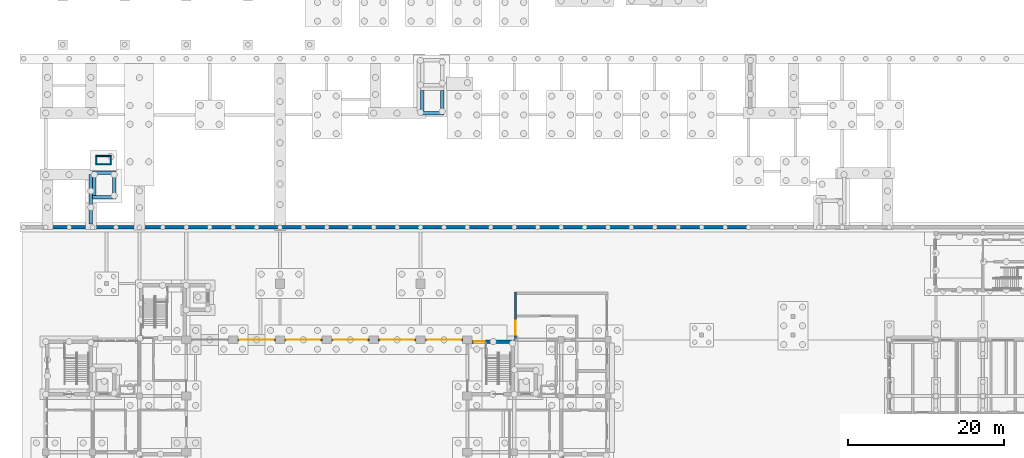
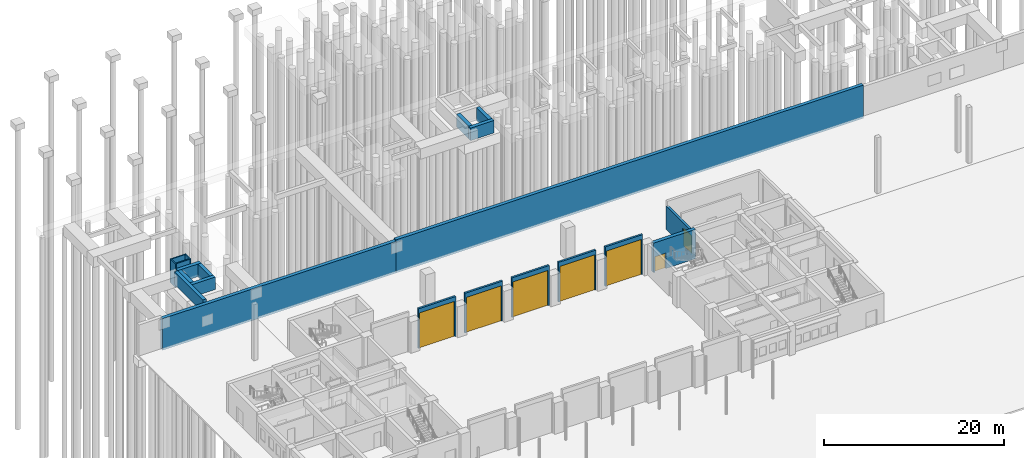
# One storey, part 23 of 37: 21 walls, 7 doors, 7 openings.
"""IFC4 building model written with IfcOpenShell, lengths in metres."""

from ifc_helpers import new_model, si_unit, direction, frame, frame_2d, origin, place, context, subcontext, project, spatial, rectangle, extrude, material, layer, layer_set, type_object, element, fill, save


model = new_model("IFC4")

# Units and contexts
model_context = context("Model", 3, precision=1e-05, world=origin(), true_north=direction((0.0, 1.0)))
body_context = subcontext(model_context, "Body", "Model", "MODEL_VIEW")
ifc_project = project(units=[si_unit("LENGTHUNIT", "METRE"), si_unit("AREAUNIT", "SQUARE_METRE"), si_unit("VOLUMEUNIT", "CUBIC_METRE"), si_unit("PLANEANGLEUNIT", "RADIAN"), si_unit("MASSUNIT", "GRAM", prefix="KILO")], contexts=[model_context])

# Site, building, storey
site_placement = place(None, origin())
site = spatial("IfcSite", under=ifc_project, at=site_placement, CompositionType="ELEMENT")
building_placement = place(site_placement, origin())
building = spatial("IfcBuilding", under=site, at=building_placement, Name="Laocheng Heights Fire and Rescue Headquarters", CompositionType="ELEMENT")
storey_placement = place(building_placement, origin())
storey = spatial("IfcBuildingStorey", under=building, at=storey_placement, Name="L00", CompositionType="ELEMENT", Elevation=0.0)

# Wall, opening, door
ifc_material_1 = material(Name="Cast stone cladding", Category="masonry")
ifc_layer_1 = layer(ifc_material_1, 0.0400390625, Name="CAST STONE FACING", Category="face")
ifc_material_2 = material(Name="Mineral wool insulation board")
ifc_layer_2 = layer(ifc_material_2, 0.080078125, Name="CAVITY INSULATION", Category="insulation")
ifc_material_3 = material(Name="Autoclaved aerated concrete A3.5", Category="concrete")
ifc_layer_3 = layer(ifc_material_3, 0.169921875, Name="BLOCKWORK LEAF", Category="masonry")
ifc_material_4 = material(Name="Gypsum plaster")
ifc_layer_4 = layer(ifc_material_4, 0.010009765625, Name="INTERNAL PLASTER", Category="plaster")
ifc_layer_set_1 = layer_set([ifc_layer_1, ifc_layer_2, ifc_layer_3, ifc_layer_4], Name="Precast concrete C40/50")
wall_type_1 = type_object("IfcWallType", Name="PRECAST PLANT WALL 300 ANNEX", PredefinedType="SOLIDWALL", material=ifc_layer_set_1)
wall_1_placement = place(storey_placement, frame((60.14990234375, 21.60009765625, 0.0), z_axis=(0.0, 0.0, 1.0), x_axis=(0.0, 1.0, 0.0)))
wall_1 = element("IfcWall", 1, at=wall_1_placement, inside=storey, type_object=wall_type_1, Name="Annex wall L00", PredefinedType="SOLIDWALL", context=body_context, shape_type="SweptSolid", body=[
    extrude(rectangle(XDim=6.099853515625, YDim=0.300048828125, at=frame_2d((3.0498046875, 0.0))), origin(), (0.0, 0.0, 1.0), 3.199951171875),
])
opening_1_placement = place(wall_1_placement, frame((0.625, 0.0, 0.0)))
opening_1 = element("IfcOpeningElement", 2, at=opening_1_placement, cuts=wall_1, Name="Opening L00-E07", PredefinedType="OPENING", context=body_context, shape_type="SweptSolid", body=[
    extrude(rectangle(XDim=1.800048828125, YDim=2.39990234375, at=frame_2d((0.89990234375, 1.199951171875))), frame((0.0, 0.159912109375, 0.0), z_axis=(0.0, -1.0, 0.0), x_axis=(1.0, 0.0, 0.0)), (0.0, 0.0, 1.0), 0.320068359375),
])
ifc_material_5 = material(Name="Powder-coated galvanised steel door leaf, louvred", Category="steel")
door_type_1 = type_object("IfcDoorType", Name="DOUBLE PLANT DOOR STEEL 1800 x 2400 EI 60", OperationType="DOUBLE_DOOR_SINGLE_SWING", PredefinedType="DOOR", material=ifc_material_5)
door_1_placement = place(opening_1_placement, origin())
door_1 = element("IfcDoor", 3, at=door_1_placement, inside=storey, type_object=door_type_1, Name="Fire pump room door L00-E07", OperationType="DOUBLE_DOOR_SINGLE_SWING", OverallHeight=2.39990234375, OverallWidth=1.800048828125, PredefinedType="DOOR", context=body_context, shape_type="SweptSolid", body=[
    extrude(rectangle(XDim=1.800048828125, YDim=2.39990234375, at=frame_2d((0.89990234375, 1.199951171875))), frame((0.0, 0.02490234375, 0.0), z_axis=(0.0, -1.0, 0.0), x_axis=(1.0, 0.0, 0.0)), (0.0, 0.0, 1.0), 0.050048828125),
])
fill(opening_1, door_1)

ifc_material_6 = material(Name="Concrete C40", Category="concrete")
ifc_layer_5 = layer(ifc_material_6, 0.25)
ifc_layer_set_2 = layer_set([ifc_layer_5], Name="Concrete C40")
wall_type_2 = type_object("IfcWallType", Name="RC DOOR WALL 250 BAY GABLE", PredefinedType="SOLIDWALL", material=ifc_layer_set_2)
wall_2_placement = place(storey_placement, frame((24.60009765625, 21.60009765625, 0.0), z_axis=(0.0, 0.0, 1.0), x_axis=(1.0, 0.0, 0.0)))
wall_2 = element("IfcWall", 4, at=wall_2_placement, inside=storey, type_object=wall_type_2, Name="Gable door wall N2", PredefinedType="SOLIDWALL", context=body_context, shape_type="SweptSolid", body=[
    extrude(rectangle(XDim=4.7998046875, YDim=0.25, at=frame_2d((2.39990234375, 0.0))), origin(), (0.0, 0.0, 1.0), 5.39990234375),
])
opening_2_placement = place(wall_2_placement, frame((0.14990234375, 0.0, 0.0)))
opening_2 = element("IfcOpeningElement", 5, at=opening_2_placement, cuts=wall_2, Name="Opening L00-P08", PredefinedType="OPENING", context=body_context, shape_type="SweptSolid", body=[
    extrude(rectangle(XDim=4.5, YDim=4.800048828125, at=frame_2d((2.25, 2.39990234375))), frame((0.0, 0.135009765625, 0.0), z_axis=(0.0, -1.0, 0.0), x_axis=(1.0, 0.0, 0.0)), (0.0, 0.0, 1.0), 0.27001953125),
])
ifc_material_7 = material(Name="Powder-coated steel sectional door, signal red, vision panels", Category="steel")
door_type_2 = type_object("IfcDoorType", Name="SECTIONAL OVERHEAD VEHICLE DOOR 4500 x 4800", OperationType="ROLLINGUP", PredefinedType="DOOR", material=ifc_material_7)
door_2_placement = place(opening_2_placement, origin())
door_2 = element("IfcDoor", 6, at=door_2_placement, inside=storey, type_object=door_type_2, Name="Vehicle door L00-P08", OperationType="ROLLINGUP", OverallHeight=4.800048828125, OverallWidth=4.5, PredefinedType="DOOR", context=body_context, shape_type="SweptSolid", body=[
    extrude(rectangle(XDim=4.5, YDim=4.800048828125, at=frame_2d((2.25, 2.39990234375))), frame((0.0, 0.02490234375, 0.0), z_axis=(0.0, -1.0, 0.0), x_axis=(1.0, 0.0, 0.0)), (0.0, 0.0, 1.0), 0.050048828125),
])
fill(opening_2, door_2)

wall_3_placement = place(storey_placement, frame((30.60009765625, 21.60009765625, 0.0), z_axis=(0.0, 0.0, 1.0), x_axis=(1.0, 0.0, 0.0)))
wall_3 = element("IfcWall", 7, at=wall_3_placement, inside=storey, type_object=wall_type_2, Name="Gable door wall N3", PredefinedType="SOLIDWALL", context=body_context, shape_type="SweptSolid", body=[
    extrude(rectangle(XDim=4.7998046875, YDim=0.25, at=frame_2d((2.39990234375, 0.0))), origin(), (0.0, 0.0, 1.0), 5.39990234375),
])
opening_3_placement = place(wall_3_placement, frame((0.14990234375, 0.0, 0.0)))
opening_3 = element("IfcOpeningElement", 8, at=opening_3_placement, cuts=wall_3, Name="Opening L00-P09", PredefinedType="OPENING", context=body_context, shape_type="SweptSolid", body=[
    extrude(rectangle(XDim=4.5, YDim=4.800048828125, at=frame_2d((2.25, 2.39990234375))), frame((0.0, 0.135009765625, 0.0), z_axis=(0.0, -1.0, 0.0), x_axis=(1.0, 0.0, 0.0)), (0.0, 0.0, 1.0), 0.27001953125),
])
door_3_placement = place(opening_3_placement, origin())
door_3 = element("IfcDoor", 9, at=door_3_placement, inside=storey, type_object=door_type_2, Name="Vehicle door L00-P09", OperationType="ROLLINGUP", OverallHeight=4.800048828125, OverallWidth=4.5, PredefinedType="DOOR", context=body_context, shape_type="SweptSolid", body=[
    extrude(rectangle(XDim=4.5, YDim=4.800048828125, at=frame_2d((2.25, 2.39990234375))), frame((0.0, 0.02490234375, 0.0), z_axis=(0.0, -1.0, 0.0), x_axis=(1.0, 0.0, 0.0)), (0.0, 0.0, 1.0), 0.050048828125),
])
fill(opening_3, door_3)

wall_4_placement = place(storey_placement, frame((36.60009765625, 21.60009765625, 0.0), z_axis=(0.0, 0.0, 1.0), x_axis=(1.0, 0.0, 0.0)))
wall_4 = element("IfcWall", 10, at=wall_4_placement, inside=storey, type_object=wall_type_2, Name="Gable door wall N4", PredefinedType="SOLIDWALL", context=body_context, shape_type="SweptSolid", body=[
    extrude(rectangle(XDim=4.7998046875, YDim=0.25, at=frame_2d((2.39990234375, 0.0))), origin(), (0.0, 0.0, 1.0), 5.39990234375),
])
opening_4_placement = place(wall_4_placement, frame((0.14990234375, 0.0, 0.0)))
opening_4 = element("IfcOpeningElement", 11, at=opening_4_placement, cuts=wall_4, Name="Opening L00-P10", PredefinedType="OPENING", context=body_context, shape_type="SweptSolid", body=[
    extrude(rectangle(XDim=4.5, YDim=4.800048828125, at=frame_2d((2.25, 2.39990234375))), frame((0.0, 0.135009765625, 0.0), z_axis=(0.0, -1.0, 0.0), x_axis=(1.0, 0.0, 0.0)), (0.0, 0.0, 1.0), 0.27001953125),
])
door_4_placement = place(opening_4_placement, origin())
door_4 = element("IfcDoor", 12, at=door_4_placement, inside=storey, type_object=door_type_2, Name="Vehicle door L00-P10", OperationType="ROLLINGUP", OverallHeight=4.800048828125, OverallWidth=4.5, PredefinedType="DOOR", context=body_context, shape_type="SweptSolid", body=[
    extrude(rectangle(XDim=4.5, YDim=4.800048828125, at=frame_2d((2.25, 2.39990234375))), frame((0.0, 0.02490234375, 0.0), z_axis=(0.0, -1.0, 0.0), x_axis=(1.0, 0.0, 0.0)), (0.0, 0.0, 1.0), 0.050048828125),
])
fill(opening_4, door_4)

wall_5_placement = place(storey_placement, frame((42.60009765625, 21.60009765625, 0.0), z_axis=(0.0, 0.0, 1.0), x_axis=(1.0, 0.0, 0.0)))
wall_5 = element("IfcWall", 13, at=wall_5_placement, inside=storey, type_object=wall_type_2, Name="Gable door wall N5", PredefinedType="SOLIDWALL", context=body_context, shape_type="SweptSolid", body=[
    extrude(rectangle(XDim=4.7998046875, YDim=0.25, at=frame_2d((2.39990234375, 0.0))), origin(), (0.0, 0.0, 1.0), 5.39990234375),
])
opening_5_placement = place(wall_5_placement, frame((0.14990234375, 0.0, 0.0)))
opening_5 = element("IfcOpeningElement", 14, at=opening_5_placement, cuts=wall_5, Name="Opening L00-P11", PredefinedType="OPENING", context=body_context, shape_type="SweptSolid", body=[
    extrude(rectangle(XDim=4.5, YDim=4.800048828125, at=frame_2d((2.25, 2.39990234375))), frame((0.0, 0.135009765625, 0.0), z_axis=(0.0, -1.0, 0.0), x_axis=(1.0, 0.0, 0.0)), (0.0, 0.0, 1.0), 0.27001953125),
])
door_5_placement = place(opening_5_placement, origin())
door_5 = element("IfcDoor", 15, at=door_5_placement, inside=storey, type_object=door_type_2, Name="Vehicle door L00-P11", OperationType="ROLLINGUP", OverallHeight=4.800048828125, OverallWidth=4.5, PredefinedType="DOOR", context=body_context, shape_type="SweptSolid", body=[
    extrude(rectangle(XDim=4.5, YDim=4.800048828125, at=frame_2d((2.25, 2.39990234375))), frame((0.0, 0.02490234375, 0.0), z_axis=(0.0, -1.0, 0.0), x_axis=(1.0, 0.0, 0.0)), (0.0, 0.0, 1.0), 0.050048828125),
])
fill(opening_5, door_5)

wall_6_placement = place(storey_placement, frame((48.60009765625, 21.60009765625, 0.0), z_axis=(0.0, 0.0, 1.0), x_axis=(1.0, 0.0, 0.0)))
wall_6 = element("IfcWall", 16, at=wall_6_placement, inside=storey, type_object=wall_type_2, Name="Gable door wall N6", PredefinedType="SOLIDWALL", context=body_context, shape_type="SweptSolid", body=[
    extrude(rectangle(XDim=4.7998046875, YDim=0.25, at=frame_2d((2.39990234375, 0.0))), origin(), (0.0, 0.0, 1.0), 5.39990234375),
])
opening_6_placement = place(wall_6_placement, frame((0.14990234375, 0.0, 0.0)))
opening_6 = element("IfcOpeningElement", 17, at=opening_6_placement, cuts=wall_6, Name="Opening L00-P12", PredefinedType="OPENING", context=body_context, shape_type="SweptSolid", body=[
    extrude(rectangle(XDim=4.5, YDim=4.800048828125, at=frame_2d((2.25, 2.39990234375))), frame((0.0, 0.135009765625, 0.0), z_axis=(0.0, -1.0, 0.0), x_axis=(1.0, 0.0, 0.0)), (0.0, 0.0, 1.0), 0.27001953125),
])
door_6_placement = place(opening_6_placement, origin())
door_6 = element("IfcDoor", 18, at=door_6_placement, inside=storey, type_object=door_type_2, Name="Vehicle door L00-P12", OperationType="ROLLINGUP", OverallHeight=4.800048828125, OverallWidth=4.5, PredefinedType="DOOR", context=body_context, shape_type="SweptSolid", body=[
    extrude(rectangle(XDim=4.5, YDim=4.800048828125, at=frame_2d((2.25, 2.39990234375))), frame((0.0, 0.02490234375, 0.0), z_axis=(0.0, -1.0, 0.0), x_axis=(1.0, 0.0, 0.0)), (0.0, 0.0, 1.0), 0.050048828125),
])
fill(opening_6, door_6)

# Walls
ifc_material_8 = material(Name="Concrete C40", Category="concrete")
ifc_layer_6 = layer(ifc_material_8, 0.449951171875)
ifc_layer_set_3 = layer_set([ifc_layer_6], Name="Concrete C40")
wall_type_3 = type_object("IfcWallType", Name="RC LIFT PIT WALL 450", PredefinedType="SHEAR", material=ifc_layer_set_3)
for number, where, z_axis, x_axis, name in (
    (19, (6.0, 39.824951171875, 2.5), (0.0, 0.0, 1.0), (1.0, 0.0, 0.0), "Lift pit wall"),
    (20, (6.0, 42.97509765625, 2.5), (0.0, 0.0, 1.0), (1.0, 0.0, 0.0), "Lift pit wall"),
):
    element("IfcWall", number, at=place(storey_placement, frame(where, z_axis=z_axis, x_axis=x_axis)), inside=storey, type_object=wall_type_3, Name=name, PredefinedType="SHEAR", context=body_context, shape_type="SweptSolid", body=[
        extrude(rectangle(XDim=3.0, YDim=0.449951171875, at=frame_2d((1.5, 0.0))), origin(), (0.0, 0.0, 1.0), 1.699951171875),
    ])
for number, where, z_axis, x_axis, name in (
    (21, (6.22509765625, 40.050048828125, 2.5), (0.0, 0.0, 1.0), (0.0, 1.0, 0.0), "Lift pit wall"),
    (22, (8.77490234375, 40.050048828125, 2.5), (0.0, 0.0, 1.0), (0.0, 1.0, 0.0), "Lift pit wall"),
):
    element("IfcWall", number, at=place(storey_placement, frame(where, z_axis=z_axis, x_axis=x_axis)), inside=storey, type_object=wall_type_3, Name=name, PredefinedType="SHEAR", context=body_context, shape_type="SweptSolid", body=[
        extrude(rectangle(XDim=2.699951171875, YDim=0.449951171875, at=frame_2d((1.35009765625, 0.0))), origin(), (0.0, 0.0, 1.0), 1.699951171875),
    ])
wall_7_placement = place(storey_placement, frame((48.0, 50.625, 2.5), z_axis=(0.0, 0.0, 1.0), x_axis=(1.0, 0.0, 0.0)))
element("IfcWall", 23, at=wall_7_placement, inside=storey, type_object=wall_type_3, Name="Lift pit wall", PredefinedType="SHEAR", context=body_context, shape_type="SweptSolid", body=[
    extrude(rectangle(XDim=3.0, YDim=0.449951171875, at=frame_2d((1.5, 0.0))), origin(), (0.0, 0.0, 1.0), 1.699951171875),
])
for number, where, z_axis, x_axis, name in (
    (24, (48.22509765625, 50.85009765625, 2.5), (0.0, 0.0, 1.0), (0.0, 1.0, 0.0), "Lift pit wall"),
    (25, (50.77490234375, 50.85009765625, 2.5), (0.0, 0.0, 1.0), (0.0, 1.0, 0.0), "Lift pit wall"),
):
    element("IfcWall", number, at=place(storey_placement, frame(where, z_axis=z_axis, x_axis=x_axis)), inside=storey, type_object=wall_type_3, Name=name, PredefinedType="SHEAR", context=body_context, shape_type="SweptSolid", body=[
        extrude(rectangle(XDim=2.699951171875, YDim=0.449951171875, at=frame_2d((1.35009765625, 0.0))), origin(), (0.0, 0.0, 1.0), 1.699951171875),
    ])
ifc_material_9 = material(Name="Concrete C40", Category="concrete")
ifc_layer_7 = layer(ifc_material_9, 0.449951171875)
ifc_layer_set_4 = layer_set([ifc_layer_7], Name="Concrete C40")
wall_type_4 = type_object("IfcWallType", Name="RC RETAINING WALL 450", PredefinedType="SOLIDWALL", material=ifc_layer_set_4)
wall_8_placement = place(storey_placement, frame((0.0, 36.0, -0.300048828125), z_axis=(0.0, 0.0, 1.0), x_axis=(1.0, 0.0, 0.0)))
element("IfcWall", 26, at=wall_8_placement, inside=storey, type_object=wall_type_4, Name="Retaining wall RW1 0 to 30", PredefinedType="SOLIDWALL", context=body_context, shape_type="SweptSolid", body=[
    extrude(rectangle(XDim=30.0, YDim=0.449951171875, at=frame_2d((15.0, 0.0))), origin(), (0.0, 0.0, 1.0), 4.300048828125),
])
wall_9_placement = place(storey_placement, frame((30.0, 36.0, -0.300048828125), z_axis=(0.0, 0.0, 1.0), x_axis=(1.0, 0.0, 0.0)))
element("IfcWall", 27, at=wall_9_placement, inside=storey, type_object=wall_type_4, Name="Retaining wall RW1 30 to 90", PredefinedType="SOLIDWALL", context=body_context, shape_type="SweptSolid", body=[
    extrude(rectangle(XDim=60.0, YDim=0.449951171875, at=frame_2d((30.0, 0.0))), origin(), (0.0, 0.0, 1.0), 4.5),
])

# Wall, opening, door
ifc_material_10 = material(Name="Concrete C50", Category="concrete")
ifc_layer_8 = layer(ifc_material_10, 0.449951171875)
ifc_layer_set_5 = layer_set([ifc_layer_8], Name="Concrete C50")
wall_type_5 = type_object("IfcWallType", Name="RC STAIR ENCLOSURE WALL 450", PredefinedType="SHEAR", material=ifc_layer_set_5)
wall_10_placement = place(storey_placement, frame((54.60009765625, 21.375, 0.0), z_axis=(0.0, 0.0, 1.0), x_axis=(1.0, 0.0, 0.0)))
wall_10 = element("IfcWall", 28, at=wall_10_placement, inside=storey, type_object=wall_type_5, Name="Stair enclosure wall", PredefinedType="SHEAR", context=body_context, shape_type="SweptSolid", body=[
    extrude(rectangle(XDim=5.39990234375, YDim=0.449951171875, at=frame_2d((2.699951171875, 0.0))), origin(), (0.0, 0.0, 1.0), 4.0),
])
opening_7_placement = place(wall_10_placement, frame((0.199951171875, 0.0, 0.0)))
opening_7 = element("IfcOpeningElement", 29, at=opening_7_placement, cuts=wall_10, Name="Opening L00-K08", PredefinedType="OPENING", context=body_context, shape_type="SweptSolid", body=[
    extrude(rectangle(XDim=1.39990234375, YDim=2.10009765625, at=frame_2d((0.699951171875, 1.050048828125))), frame((0.0, 0.23486328125, 0.0), z_axis=(0.0, -1.0, 0.0), x_axis=(1.0, 0.0, 0.0)), (0.0, 0.0, 1.0), 0.469970703125),
])
ifc_material_11 = material(Name="Painted steel", Category="steel")
door_type_3 = type_object("IfcDoorType", Name="STAIR EXIT DOOR 1400x2100 EI 60", OperationType="DOUBLE_DOOR_SINGLE_SWING", PredefinedType="DOOR", material=ifc_material_11)
door_7_placement = place(opening_7_placement, origin())
door_7 = element("IfcDoor", 30, at=door_7_placement, inside=storey, type_object=door_type_3, Name="Stair E1 exit door", OperationType="DOUBLE_DOOR_SINGLE_SWING", OverallHeight=2.10009765625, OverallWidth=1.39990234375, PredefinedType="DOOR", context=body_context, shape_type="SweptSolid", body=[
    extrude(rectangle(XDim=1.39990234375, YDim=2.10009765625, at=frame_2d((0.699951171875, 1.050048828125))), frame((0.0, 0.02490234375, 0.0), z_axis=(0.0, -1.0, 0.0), x_axis=(1.0, 0.0, 0.0)), (0.0, 0.0, 1.0), 0.050048828125),
])
fill(opening_7, door_7)

# Walls
ifc_material_12 = material(Name="Concrete C30", Category="concrete")
ifc_layer_9 = layer(ifc_material_12, 0.14990234375)
ifc_layer_set_6 = layer_set([ifc_layer_9], Name="Concrete C30")
wall_type_6 = type_object("IfcWallType", Name="RISER KERB WALL 150", PredefinedType="SOLIDWALL", material=ifc_layer_set_6)
wall_11_placement = place(storey_placement, frame((6.550048828125, 44.074951171875, 1.0), z_axis=(0.0, 0.0, 1.0), x_axis=(1.0, 0.0, 0.0)))
element("IfcWall", 31, at=wall_11_placement, inside=storey, type_object=wall_type_6, Name="Riser kerb wall", PredefinedType="SOLIDWALL", context=body_context, shape_type="SweptSolid", body=[
    extrude(rectangle(XDim=1.699951171875, YDim=0.14990234375, at=frame_2d((0.85009765625, 0.0))), origin(), (0.0, 0.0, 1.0), 3.199951171875),
])
wall_12_placement = place(storey_placement, frame((6.39990234375, 45.125, 1.0), z_axis=(0.0, 0.0, 1.0), x_axis=(1.0, 0.0, 0.0)))
element("IfcWall", 32, at=wall_12_placement, inside=storey, type_object=wall_type_6, Name="Riser kerb wall", PredefinedType="SOLIDWALL", context=body_context, shape_type="SweptSolid", body=[
    extrude(rectangle(XDim=2.0, YDim=0.14990234375, at=frame_2d((1.0, 0.0))), origin(), (0.0, 0.0, 1.0), 3.199951171875),
])
for number, where, z_axis, x_axis, name in (
    (33, (6.47509765625, 44.0, 1.0), (0.0, 0.0, 1.0), (0.0, 1.0, 0.0), "Riser kerb wall"),
    (34, (8.324951171875, 44.0, 1.0), (0.0, 0.0, 1.0), (0.0, 1.0, 0.0), "Riser kerb wall"),
):
    element("IfcWall", number, at=place(storey_placement, frame(where, z_axis=z_axis, x_axis=x_axis)), inside=storey, type_object=wall_type_6, Name=name, PredefinedType="SOLIDWALL", context=body_context, shape_type="SweptSolid", body=[
        extrude(rectangle(XDim=1.050048828125, YDim=0.14990234375, at=frame_2d((0.52490234375, 0.0))), origin(), (0.0, 0.0, 1.0), 3.199951171875),
    ])
ifc_material_13 = material(Name="Concrete C40", Category="concrete")
ifc_layer_10 = layer(ifc_material_13, 0.449951171875)
ifc_layer_set_7 = layer_set([ifc_layer_10], Name="Concrete C40")
wall_type_7 = type_object("IfcWallType", Name="STAIR KERB WALL 450", PredefinedType="SOLIDWALL", material=ifc_layer_set_7)
wall_13_placement = place(storey_placement, frame((5.77490234375, 36.449951171875, 2.5), z_axis=(0.0, 0.0, 1.0), x_axis=(0.0, 1.0, 0.0)))
element("IfcWall", 35, at=wall_13_placement, inside=storey, type_object=wall_type_7, Name="Stair kerb wall", PredefinedType="SOLIDWALL", context=body_context, shape_type="SweptSolid", body=[
    extrude(rectangle(XDim=6.300048828125, YDim=0.449951171875, at=frame_2d((3.14990234375, 0.0))), origin(), (0.0, 0.0, 1.0), 1.699951171875),
])

save(model, "model.ifc")
